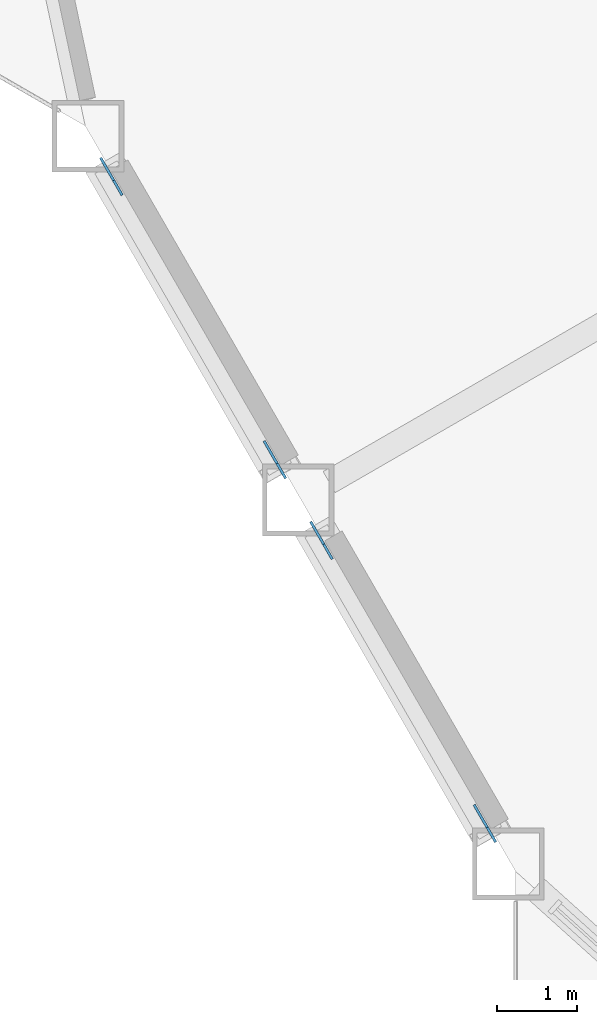
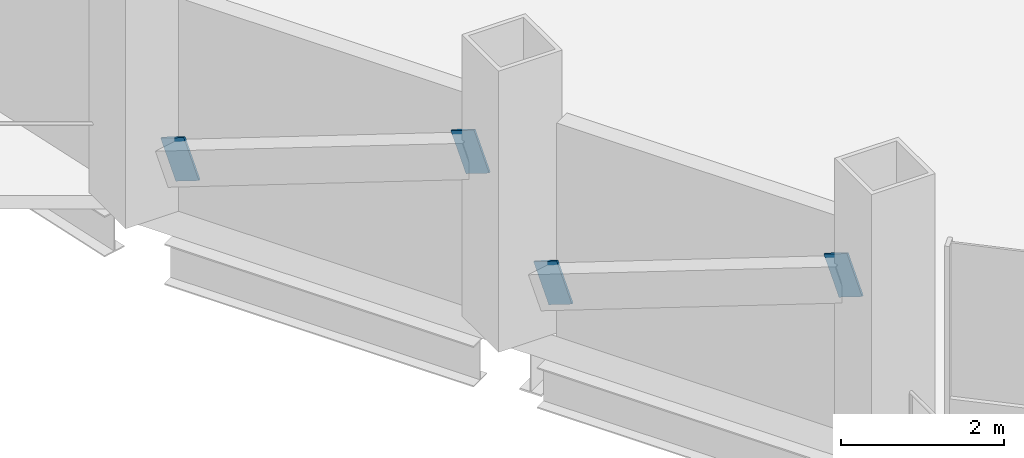
# One storey, part 14 of 21: 4 discrete accessories.
"""IFC4 building model written with IfcOpenShell, lengths in metres."""

from ifc_helpers import new_model, si_unit, direction, frame, origin, origin_2d, place, context, subcontext, project, spatial, rectangle, extrude, material, material_profile, profile_set, type_object, element, save


model = new_model("IFC4")

# Units and contexts
model_context = context("Model", 3, precision=1e-05, world=origin(), true_north=direction((0.0, 1.0)))
body_context = subcontext(model_context, "Body", "Model", "MODEL_VIEW")
ifc_project = project(units=[si_unit("LENGTHUNIT", "METRE"), si_unit("AREAUNIT", "SQUARE_METRE"), si_unit("VOLUMEUNIT", "CUBIC_METRE"), si_unit("PLANEANGLEUNIT", "RADIAN"), si_unit("MASSUNIT", "GRAM", prefix="KILO")], contexts=[model_context])

# Site, building, storey
site_placement = place(None, origin())
site = spatial("IfcSite", under=ifc_project, at=site_placement, CompositionType="ELEMENT")
building_placement = place(site_placement, origin())
building = spatial("IfcBuilding", under=site, at=building_placement, Name="Cormorant Prow Tower", CompositionType="ELEMENT")
storey_placement = place(building_placement, frame((0.0, 0.0, 150.0)))
storey = spatial("IfcBuildingStorey", under=building, at=storey_placement, Name="L32", CompositionType="ELEMENT", Elevation=150.0)

# Discrete accessories
ifc_material = material(Name="Structural steel ASTM A500 Gr C", Category="steel")
ifc_material_profile = material_profile(ifc_material, rectangle(XDim=0.031982421875, YDim=0.60791015625, at=origin_2d()), Name="Gusset plate 32x608")
ifc_profile_set = profile_set([ifc_material_profile], Name="Structural steel ASTM A500 Gr C")
discrete_accessory_type = type_object("IfcDiscreteAccessoryType", Name="Gusset plate 32x608", PredefinedType="BRACKET", material=ifc_profile_set)
for number, where, z_axis, x_axis, name in (
    (1, (-30.39501953125, -12.328125, 0.882568359375), (-0.467787927946, 0.810088781331, -0.353455260013), (-0.865987003449, -0.500066505434, 0.0), "Gusset plate GP1 L32.WSW00.g0"),
    (2, (-28.5087890625, -15.59521484375, 2.306396484375), (0.467903125124, -0.810288273314, 0.352844979601), (0.865987003449, 0.500066505434, 0.0), "Gusset plate GP1 L32.WSW00.g1"),
    (3, (-27.76025390625, -16.8916015625, 0.882568359375), (-0.468052223063, 0.809848928429, -0.35365495841), (-0.865800459427, -0.500389412813, 0.0), "Gusset plate GP1 L32.WSW01.g0"),
    (4, (-25.8740234375, -20.158935546875, 2.306396484375), (0.467903125124, -0.810288273314, 0.352844979601), (0.865987003449, 0.500066505434, 0.0), "Gusset plate GP1 L32.WSW01.g1"),
):
    element("IfcDiscreteAccessory", number, at=place(storey_placement, frame(where, z_axis=z_axis, x_axis=x_axis)), inside=storey, type_object=discrete_accessory_type, Name=name, PredefinedType="BRACKET", context=body_context, shape_type="SweptSolid", body=[
        extrude(rectangle(XDim=0.031982421875, YDim=0.60791015625, at=origin_2d()), origin(), (0.0, 0.0, 1.0), 0.35009765625),
    ])

save(model, "model.ifc")
